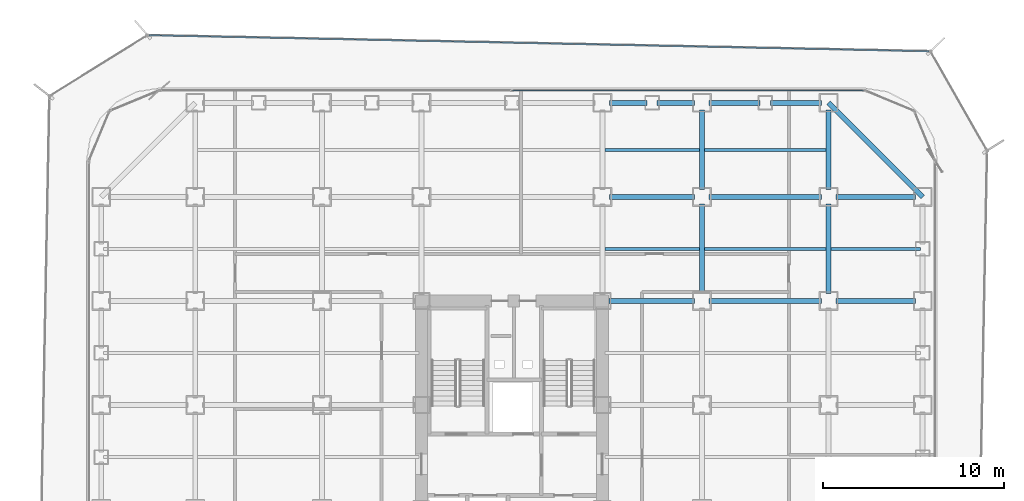
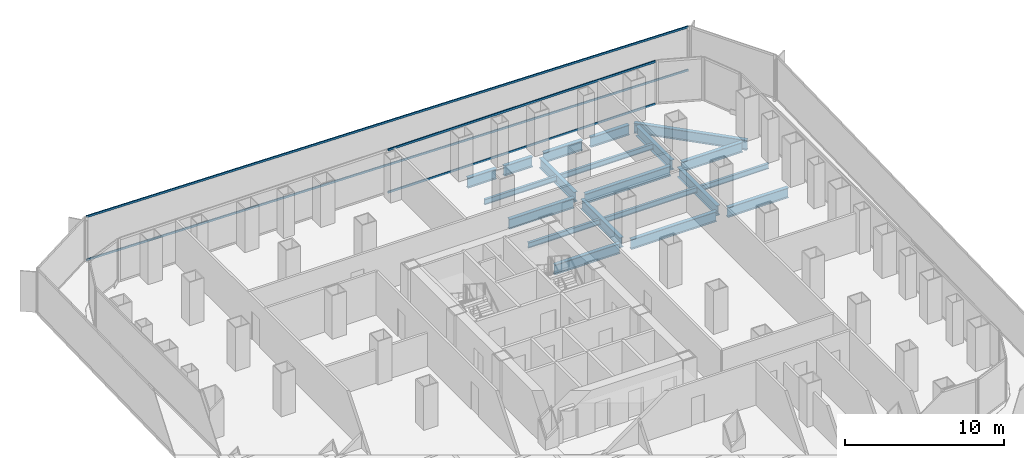
# One storey, part 14 of 21: 20 beams, 4 members, 2 elements without a shape of their own.
"""IFC4 building model written with IfcOpenShell, lengths in metres."""

import ifcopenshell
import ifcopenshell.guid

model = None  # the IFC model being written
_history = None  # IfcOwnerHistory: only IFC2X3 demands one
_inside = {}  # id of a spatial element -> (the spatial element, [elements in it])
_under = {}  # id of a project, library or spatial element -> (it, [spatial elements below it])
_declared = {}  # id of a project -> (the project, [libraries it declares])
_typed = {}  # id of a type object -> (the type object, [elements of that type])
_made_of = {}  # id of a material, layer set ... -> (it, [elements and type objects made of it])


def new_model(schema):
    """Start an empty IFC model of exactly this schema.

    Asked for "IFC4X3", IfcOpenShell would pick the latest addendum, in which some entities
    have other attributes; the version numbers below select the first issue.
    IFC2X3 requires an IfcOwnerHistory on every rooted entity: one is made here for all.
    """
    global model, _history
    if schema == "IFC4X3":
        model = ifcopenshell.file(schema_version=(4, 3, 0, 0))
    else:
        model = ifcopenshell.file(schema=schema)
    _inside.clear()
    _under.clear()
    _declared.clear()
    _typed.clear()
    _made_of.clear()
    _history = None
    if model.schema == "IFC2X3":
        org = make("IfcOrganization", Name="unknown")
        user = make(
            "IfcPersonAndOrganization",
            ThePerson=make("IfcPerson", FamilyName="unknown"),
            TheOrganization=org,
        )
        app = make(
            "IfcApplication",
            ApplicationDeveloper=org,
            Version="unknown",
            ApplicationFullName="unknown",
            ApplicationIdentifier="unknown",
        )
        _history = make(
            "IfcOwnerHistory",
            OwningUser=user,
            OwningApplication=app,
            ChangeAction="ADDED",
            CreationDate=0,
        )
    return model


def make(cls, **values):
    """One entity of the class cls with the attributes given. An attribute that is None is left unset."""
    return model.create_entity(
        cls, **{name: value for name, value in values.items() if value is not None}
    )


def rooted(cls, **values):
    """An entity with a GlobalId (a new one), such as an element, a storey or a relation."""
    return make(cls, GlobalId=ifcopenshell.guid.new(), OwnerHistory=_history, **values)


def si_unit(unit_type, name, prefix=None):
    """IfcSIUnit, for example si_unit("LENGTHUNIT", "METRE", prefix="MILLI")."""
    return make("IfcSIUnit", UnitType=unit_type, Prefix=prefix, Name=name)


def assignment(units):
    """IfcUnitAssignment: the units of a project."""
    return None if units is None else make("IfcUnitAssignment", Units=units)


def point(xyz):
    """IfcCartesianPoint."""
    return None if xyz is None else make("IfcCartesianPoint", Coordinates=xyz)


def direction(xyz):
    """IfcDirection."""
    return None if xyz is None else make("IfcDirection", DirectionRatios=xyz)


def frame(location, z_axis=None, x_axis=None):
    """IfcAxis2Placement3D, a coordinate frame: its origin and axes. An axis left out is left unset."""
    return make(
        "IfcAxis2Placement3D",
        Location=point(location),
        Axis=direction(z_axis),
        RefDirection=direction(x_axis),
    )


def frame_2d(location, x_axis=None):
    """IfcAxis2Placement2D, a coordinate frame in the plane: its origin and x axis."""
    return make(
        "IfcAxis2Placement2D", Location=point(location), RefDirection=direction(x_axis)
    )


def origin():
    """The frame at (0, 0, 0) with its axes left unset."""
    return frame((0.0, 0.0, 0.0))


def origin_2d():
    """The frame at (0, 0) in the plane with its x axis left unset."""
    return frame_2d((0.0, 0.0))


def place(relative_to, where):
    """IfcLocalPlacement: puts the frame where relative to a parent placement (None: the world)."""
    return make(
        "IfcLocalPlacement", PlacementRelTo=relative_to, RelativePlacement=where
    )


def context(
    kind, dimensions, precision=None, world=None, true_north=None, identifier=None
):
    """IfcGeometricRepresentationContext, for example the 3D "Model" context."""
    return make(
        "IfcGeometricRepresentationContext",
        ContextIdentifier=identifier,
        ContextType=kind,
        CoordinateSpaceDimension=dimensions,
        Precision=precision,
        WorldCoordinateSystem=world,
        TrueNorth=true_north,
    )


def subcontext(parent, identifier, kind, view, scale=None):
    """IfcGeometricRepresentationSubContext, for example "Body" below "Model"."""
    return make(
        "IfcGeometricRepresentationSubContext",
        ContextIdentifier=identifier,
        ContextType=kind,
        ParentContext=parent,
        TargetScale=scale,
        TargetView=view,
    )


def project(units=None, contexts=None):
    """IfcProject with its units and contexts."""
    return rooted(
        "IfcProject",
        Name="project",
        RepresentationContexts=contexts,
        UnitsInContext=assignment(units),
    )


def spatial(cls, under=None, at=None, **own):
    """A site, building, storey or space (cls), placed at a placement, below another one or the project."""
    s = rooted(cls, ObjectPlacement=at, **own)
    if under is not None:
        _under.setdefault(under.id(), (under, []))[1].append(s)
    return s


def profile(cls, at=None, kind="AREA", **sizes):
    """A parametric profile (cls). Its sizes go by their IFC names, for example OverallWidth=200.0."""
    return make(cls, ProfileType=kind, Position=at, **sizes)


def hollow_rectangle(**sizes):
    """IfcRectangleHollowProfileDef."""
    return profile("IfcRectangleHollowProfileDef", **sizes)


def i_section(**sizes):
    """IfcIShapeProfileDef."""
    return profile("IfcIShapeProfileDef", **sizes)


def extrude(swept, where, along, depth):
    """IfcExtrudedAreaSolid: the profile swept, set in the frame where, extruded along a direction by depth."""
    return make(
        "IfcExtrudedAreaSolid",
        SweptArea=swept,
        Position=where,
        ExtrudedDirection=direction(along),
        Depth=depth,
    )


def shape(context_of_items, identifier, shape_type, items):
    """IfcShapeRepresentation: the items that make up one representation, for example the "Body"."""
    return make(
        "IfcShapeRepresentation",
        ContextOfItems=context_of_items,
        RepresentationIdentifier=identifier,
        RepresentationType=shape_type,
        Items=items,
    )


def source(mapping_origin, context_of_items, identifier, shape_type, items):
    """IfcRepresentationMap: a shape defined once, which mapped items show again and again."""
    return make(
        "IfcRepresentationMap",
        MappingOrigin=mapping_origin,
        MappedRepresentation=shape(context_of_items, identifier, shape_type, items),
    )


def transform(
    local_origin,
    x_axis=None,
    y_axis=None,
    z_axis=None,
    scale=None,
    scale2=None,
    scale3=None,
    uniform=True,
):
    """IfcCartesianTransformationOperator3D, or its non-uniform kind. x_axis, y_axis, z_axis: its Axis1, 2, 3."""
    if uniform:
        return make(
            "IfcCartesianTransformationOperator3D",
            Axis1=direction(x_axis),
            Axis2=direction(y_axis),
            LocalOrigin=point(local_origin),
            Scale=scale,
            Axis3=direction(z_axis),
        )
    return make(
        "IfcCartesianTransformationOperator3DnonUniform",
        Axis1=direction(x_axis),
        Axis2=direction(y_axis),
        LocalOrigin=point(local_origin),
        Scale=scale,
        Axis3=direction(z_axis),
        Scale2=scale2,
        Scale3=scale3,
    )


def mapped(mapping_source, mapping_target):
    """IfcMappedItem: shows the shape of a source again, moved by a transform."""
    return make(
        "IfcMappedItem", MappingSource=mapping_source, MappingTarget=mapping_target
    )


def material(Name=None, Category=None):
    """IfcMaterial."""
    return make("IfcMaterial", Name=Name, Category=Category)


def layer(
    of_material, thickness, ventilated=None, Name=None, Category=None, Priority=None
):
    """IfcMaterialLayer: one layer of a wall or slab, of a material (None: an air gap)."""
    return make(
        "IfcMaterialLayer",
        Material=of_material,
        LayerThickness=thickness,
        IsVentilated=ventilated,
        Name=Name,
        Category=Category,
        Priority=Priority,
    )


def layer_set(layers, Name=None):
    """IfcMaterialLayerSet."""
    return make("IfcMaterialLayerSet", MaterialLayers=layers, LayerSetName=Name)


def material_profile(
    of_material, cross_section, Name=None, Category=None, Priority=None
):
    """IfcMaterialProfile: a cross section and its material."""
    return make(
        "IfcMaterialProfile",
        Name=Name,
        Material=of_material,
        Profile=cross_section,
        Priority=Priority,
        Category=Category,
    )


def profile_set(profiles, Name=None, composite=None):
    """IfcMaterialProfileSet."""
    return make(
        "IfcMaterialProfileSet",
        Name=Name,
        MaterialProfiles=profiles,
        CompositeProfile=composite,
    )


def made_of(thing, what):
    """Note that an element or type object is made of a material, layer set ...; save() writes the relation."""
    if what is not None:
        _made_of.setdefault(what.id(), (what, []))[1].append(thing)
    return thing


def type_object(cls, material=None, **own):
    """A type object (cls), such as IfcWallType, which elements share."""
    return made_of(rooted(cls, **own), material)


def element(
    cls,
    number,
    at=None,
    inside=None,
    cuts=None,
    type_object=None,
    material=None,
    context=None,
    identifier="Body",
    shape_type=None,
    held_by="IfcProductDefinitionShape",
    body=None,
    shapes=None,
    **own,
):
    """One element of the class cls, such as IfcWall. Its Tag is "e" and its number.

    at: its placement. inside: the storey or other place that contains it. cuts: it is an
    opening in that element (IfcRelVoidsElement). A single representation is given by context,
    identifier, shape_type and body (its items); several are given by shapes. held_by: the class
    of the entity that holds the representations. save() writes the other relations.
    """
    e = rooted(cls, Tag="e%d" % number, ObjectPlacement=at, **own)
    if body is not None:
        shapes = [shape(context, identifier, shape_type, body)]
    if shapes is not None:
        e.Representation = make(held_by, Representations=shapes)
    if inside is not None:
        _inside.setdefault(inside.id(), (inside, []))[1].append(e)
    if cuts is not None:
        rooted(
            "IfcRelVoidsElement", RelatingBuildingElement=cuts, RelatedOpeningElement=e
        )
    if type_object is not None:
        _typed.setdefault(type_object.id(), (type_object, []))[1].append(e)
    return made_of(e, material)


def aggregate(whole, parts):
    """IfcRelAggregates: a whole, such as a stair, and the parts it consists of."""
    return rooted("IfcRelAggregates", RelatingObject=whole, RelatedObjects=parts)


def save(model, path):
    """Write the relations noted so far, then the file.

    IfcRelAggregates (storeys below a building ...), IfcRelContainedInSpatialStructure (elements
    in a storey), IfcRelDefinesByType, IfcRelAssociatesMaterial and IfcRelDeclares: one each for
    every whole, place, type object, material and project.
    """
    for whole, parts in _under.values():
        aggregate(whole, parts)
    for where, things in _inside.values():
        rooted(
            "IfcRelContainedInSpatialStructure",
            RelatedElements=things,
            RelatingStructure=where,
        )
    for kind, things in _typed.values():
        rooted("IfcRelDefinesByType", RelatedObjects=things, RelatingType=kind)
    for what, things in _made_of.values():
        rooted("IfcRelAssociatesMaterial", RelatedObjects=things, RelatingMaterial=what)
    for by, libraries in _declared.values():
        rooted("IfcRelDeclares", RelatingContext=by, RelatedDefinitions=libraries)
    model.write(path)


model = new_model("IFC4")

# Units and contexts
model_context = context("Model", 3, precision=1e-05, world=origin(), true_north=direction((0.0, 1.0)))
body_context = subcontext(model_context, "Body", "Model", "MODEL_VIEW")
ifc_project = project(units=[si_unit("LENGTHUNIT", "METRE"), si_unit("AREAUNIT", "SQUARE_METRE"), si_unit("VOLUMEUNIT", "CUBIC_METRE"), si_unit("PLANEANGLEUNIT", "RADIAN"), si_unit("MASSUNIT", "GRAM", prefix="KILO")], contexts=[model_context])

# Site, building, storey
site_placement = place(None, origin())
site = spatial("IfcSite", under=ifc_project, at=site_placement, CompositionType="ELEMENT")
building_placement = place(site_placement, origin())
building = spatial("IfcBuilding", under=site, at=building_placement, Name="Kolveth Station Tower", CompositionType="ELEMENT")
storey_placement = place(building_placement, frame((0.0, 0.0, 26.10009765625)))
storey = spatial("IfcBuildingStorey", under=building, at=storey_placement, Name="L06", CompositionType="ELEMENT", Elevation=26.10009765625)

# Beams
ifc_material_1 = material(Name="Steel S355", Category="steel")
ifc_material_profile_1 = material_profile(ifc_material_1, i_section(OverallWidth=0.26904296875, OverallDepth=0.77490234375, WebThickness=0.01708984375, FlangeThickness=0.0283203125, at=origin_2d()), Name="W760x220")
ifc_profile_set_1 = profile_set([ifc_material_profile_1], Name="Steel S355")
beam_type_1 = type_object("IfcBeamType", Name="Beam_SP1", PredefinedType="SPANDREL", material=ifc_profile_set_1)
shared_shape_1 = source(origin(), body_context, "Body", "SweptSolid", [
    extrude(i_section(OverallWidth=0.26904296875, OverallDepth=0.77490234375, WebThickness=0.01708984375, FlangeThickness=0.0283203125, at=origin_2d()), origin(), (0.0, 0.0, 1.0), 7.353759765625),
])
beam_1_placement = place(storey_placement, frame((46.199951171875, 34.5, -0.66748046875), z_axis=(-0.707106781187, 0.707106781187, 0.0), x_axis=(-0.707106781187, -0.707106781187, 0.0)))
element("IfcBeam", 1, at=beam_1_placement, inside=storey, type_object=beam_type_1, Name="L06 Corner Edge Girder BM-L06-CNR-NE", PredefinedType="SPANDREL", context=body_context, shape_type="MappedRepresentation", body=[
    mapped(shared_shape_1, transform((0.0, 0.0, 0.0), x_axis=(1.0, 0.0, 0.0), y_axis=(0.0, 1.0, 0.0), z_axis=(0.0, 0.0, 1.0), scale=1.0)),
])
shared_shape_2 = source(origin(), body_context, "Body", "SweptSolid", [
    extrude(i_section(OverallWidth=0.26904296875, OverallDepth=0.77490234375, WebThickness=0.01708984375, FlangeThickness=0.0283203125, at=origin_2d()), origin(), (0.0, 0.0, 1.0), 2.820068359375),
])
for number, where, z_axis, x_axis, name in (
    (2, (34.39990234375, 39.699951171875, -0.66748046875), (1.0, 0.0, 0.0), (0.0, 1.0, 0.0), "L06 Perimeter Spandrel BM-L06-PN-9"),
    (3, (37.780029296875, 39.699951171875, -0.66748046875), (1.0, 0.0, 0.0), (0.0, 1.0, 0.0), "L06 Perimeter Spandrel BM-L06-PN-10"),
):
    element("IfcBeam", number, at=place(storey_placement, frame(where, z_axis=z_axis, x_axis=x_axis)), inside=storey, type_object=beam_type_1, Name=name, PredefinedType="SPANDREL", context=body_context, shape_type="MappedRepresentation", body=[
        mapped(shared_shape_2, transform((0.0, 0.0, 0.0), x_axis=(1.0, 0.0, 0.0), y_axis=(0.0, 1.0, 0.0), z_axis=(0.0, 0.0, 1.0), scale=1.0)),
    ])
shared_shape_3 = source(origin(), body_context, "Body", "SweptSolid", [
    extrude(i_section(OverallWidth=0.26904296875, OverallDepth=0.77490234375, WebThickness=0.01708984375, FlangeThickness=0.0283203125, at=origin_2d()), origin(), (0.0, 0.0, 1.0), 2.070068359375),
])
for number, where, z_axis, x_axis, name in (
    (4, (28.89990234375, 39.699951171875, -0.66748046875), (1.0, 0.0, 0.0), (0.0, 1.0, 0.0), "L06 Perimeter Spandrel BM-L06-PN-7"),
    (5, (31.530029296875, 39.699951171875, -0.66748046875), (1.0, 0.0, 0.0), (0.0, 1.0, 0.0), "L06 Perimeter Spandrel BM-L06-PN-8"),
):
    element("IfcBeam", number, at=place(storey_placement, frame(where, z_axis=z_axis, x_axis=x_axis)), inside=storey, type_object=beam_type_1, Name=name, PredefinedType="SPANDREL", context=body_context, shape_type="MappedRepresentation", body=[
        mapped(shared_shape_3, transform((0.0, 0.0, 0.0), x_axis=(1.0, 0.0, 0.0), y_axis=(0.0, 1.0, 0.0), z_axis=(0.0, 0.0, 1.0), scale=1.0)),
    ])
ifc_material_profile_2 = material_profile(ifc_material_1, i_section(OverallWidth=0.26708984375, OverallDepth=0.76611328125, WebThickness=0.014892578125, FlangeThickness=0.023681640625, at=origin_2d()), Name="W760x185")
ifc_profile_set_2 = profile_set([ifc_material_profile_2], Name="Steel S355")
beam_type_2 = type_object("IfcBeamType", Name="Beam_B3", PredefinedType="BEAM", material=ifc_profile_set_2)
shared_shape_4 = source(origin(), body_context, "Body", "SweptSolid", [
    extrude(i_section(OverallWidth=0.26708984375, OverallDepth=0.76611328125, WebThickness=0.014892578125, FlangeThickness=0.023681640625, at=origin_2d()), origin(), (0.0, 0.0, 1.0), 4.400146484375),
])
for number, where, z_axis, x_axis, name in (
    (6, (41.39990234375, 28.75, -0.6630859375), (1.0, 0.0, 0.0), (0.0, 1.0, 0.0), "L06 Primary Girder BM-L06-GY287-7"),
    (7, (41.39990234375, 34.5, -0.6630859375), (1.0, 0.0, 0.0), (0.0, 1.0, 0.0), "L06 Primary Girder BM-L06-GY345-7"),
    (8, (34.0, 34.89990234375, -0.6630859375), (0.0, 1.0, 0.0), (-1.0, 0.0, 0.0), "L06 Primary Girder BM-L06-GX340-7"),
    (9, (41.0, 34.89990234375, -0.6630859375), (0.0, 1.0, 0.0), (-1.0, 0.0, 0.0), "L06 Primary Girder BM-L06-GX410-7"),
):
    element("IfcBeam", number, at=place(storey_placement, frame(where, z_axis=z_axis, x_axis=x_axis)), inside=storey, type_object=beam_type_2, Name=name, PredefinedType="BEAM", context=body_context, shape_type="MappedRepresentation", body=[
        mapped(shared_shape_4, transform((0.0, 0.0, 0.0), x_axis=(1.0, 0.0, 0.0), y_axis=(0.0, 1.0, 0.0), z_axis=(0.0, 0.0, 1.0), scale=1.0)),
    ])
shared_shape_5 = source(origin(), body_context, "Body", "SweptSolid", [
    extrude(i_section(OverallWidth=0.26708984375, OverallDepth=0.76611328125, WebThickness=0.014892578125, FlangeThickness=0.023681640625, at=origin_2d()), origin(), (0.0, 0.0, 1.0), 6.2001953125),
])
for number, where, z_axis, x_axis, name in (
    (10, (34.39990234375, 28.75, -0.6630859375), (1.0, 0.0, 0.0), (0.0, 1.0, 0.0), "L06 Primary Girder BM-L06-GY287-6"),
    (11, (34.39990234375, 34.5, -0.6630859375), (1.0, 0.0, 0.0), (0.0, 1.0, 0.0), "L06 Primary Girder BM-L06-GY345-6"),
):
    element("IfcBeam", number, at=place(storey_placement, frame(where, z_axis=z_axis, x_axis=x_axis)), inside=storey, type_object=beam_type_2, Name=name, PredefinedType="BEAM", context=body_context, shape_type="MappedRepresentation", body=[
        mapped(shared_shape_5, transform((0.0, 0.0, 0.0), x_axis=(1.0, 0.0, 0.0), y_axis=(0.0, 1.0, 0.0), z_axis=(0.0, 0.0, 1.0), scale=1.0)),
    ])
shared_shape_6 = source(origin(), body_context, "Body", "SweptSolid", [
    extrude(i_section(OverallWidth=0.26708984375, OverallDepth=0.76611328125, WebThickness=0.014892578125, FlangeThickness=0.023681640625, at=origin_2d()), origin(), (0.0, 0.0, 1.0), 4.7001953125),
])
beam_2_placement = place(storey_placement, frame((28.89990234375, 34.5, -0.6630859375), z_axis=(1.0, 0.0, 0.0), x_axis=(0.0, 1.0, 0.0)))
element("IfcBeam", 12, at=beam_2_placement, inside=storey, type_object=beam_type_2, Name="L06 Primary Girder BM-L06-GY345-5", PredefinedType="BEAM", context=body_context, shape_type="MappedRepresentation", body=[
    mapped(shared_shape_6, transform((0.0, 0.0, 0.0), x_axis=(1.0, 0.0, 0.0), y_axis=(0.0, 1.0, 0.0), z_axis=(0.0, 0.0, 1.0), scale=1.0)),
])
shared_shape_7 = source(origin(), body_context, "Body", "SweptSolid", [
    extrude(i_section(OverallWidth=0.26708984375, OverallDepth=0.76611328125, WebThickness=0.014892578125, FlangeThickness=0.023681640625, at=origin_2d()), origin(), (0.0, 0.0, 1.0), 4.739990234375),
])
beam_3_placement = place(storey_placement, frame((28.860107421875, 28.75, -0.6630859375), z_axis=(1.0, 0.0, 0.0), x_axis=(0.0, 1.0, 0.0)))
element("IfcBeam", 13, at=beam_3_placement, inside=storey, type_object=beam_type_2, Name="L06 Primary Girder BM-L06-GY287-5", PredefinedType="BEAM", context=body_context, shape_type="MappedRepresentation", body=[
    mapped(shared_shape_7, transform((0.0, 0.0, 0.0), x_axis=(1.0, 0.0, 0.0), y_axis=(0.0, 1.0, 0.0), z_axis=(0.0, 0.0, 1.0), scale=1.0)),
])
shared_shape_8 = source(origin(), body_context, "Body", "SweptSolid", [
    extrude(i_section(OverallWidth=0.26708984375, OverallDepth=0.76611328125, WebThickness=0.014892578125, FlangeThickness=0.023681640625, at=origin_2d()), origin(), (0.0, 0.0, 1.0), 4.9501953125),
])
for number, where, z_axis, x_axis, name in (
    (14, (34.0, 29.14990234375, -0.6630859375), (0.0, 1.0, 0.0), (-1.0, 0.0, 0.0), "L06 Primary Girder BM-L06-GX340-6"),
    (15, (41.0, 29.14990234375, -0.6630859375), (0.0, 1.0, 0.0), (-1.0, 0.0, 0.0), "L06 Primary Girder BM-L06-GX410-6"),
):
    element("IfcBeam", number, at=place(storey_placement, frame(where, z_axis=z_axis, x_axis=x_axis)), inside=storey, type_object=beam_type_2, Name=name, PredefinedType="BEAM", context=body_context, shape_type="MappedRepresentation", body=[
        mapped(shared_shape_8, transform((0.0, 0.0, 0.0), x_axis=(1.0, 0.0, 0.0), y_axis=(0.0, 1.0, 0.0), z_axis=(0.0, 0.0, 1.0), scale=1.0)),
    ])
ifc_material_profile_3 = material_profile(ifc_material_1, i_section(OverallWidth=0.177978515625, OverallDepth=0.406982421875, WebThickness=0.0078125, FlangeThickness=0.0126953125, at=origin_2d()), Name="W410x60")
ifc_profile_set_3 = profile_set([ifc_material_profile_3], Name="Steel S355")
beam_type_3 = type_object("IfcBeamType", Name="Beam_J1", PredefinedType="JOIST", material=ifc_profile_set_3)
shared_shape_9 = source(origin(), body_context, "Body", "SweptSolid", [
    extrude(i_section(OverallWidth=0.177978515625, OverallDepth=0.406982421875, WebThickness=0.0078125, FlangeThickness=0.0126953125, at=origin_2d()), origin(), (0.0, 0.0, 1.0), 4.935791015625),
])
beam_4_placement = place(storey_placement, frame((41.131591796875, 31.625, -0.483642578125), z_axis=(1.0, 0.0, 0.0), x_axis=(0.0, 1.0, 0.0)))
element("IfcBeam", 16, at=beam_4_placement, inside=storey, type_object=beam_type_3, Name="L06 Secondary Joist JST-L06-7-6", PredefinedType="JOIST", context=body_context, shape_type="MappedRepresentation", body=[
    mapped(shared_shape_9, transform((0.0, 0.0, 0.0), x_axis=(1.0, 0.0, 0.0), y_axis=(0.0, 1.0, 0.0), z_axis=(0.0, 0.0, 1.0), scale=1.0)),
])
shared_shape_10 = source(origin(), body_context, "Body", "SweptSolid", [
    extrude(i_section(OverallWidth=0.177978515625, OverallDepth=0.406982421875, WebThickness=0.0078125, FlangeThickness=0.0126953125, at=origin_2d()), origin(), (0.0, 0.0, 1.0), 6.73681640625),
])
for number, where, z_axis, x_axis, name in (
    (17, (34.131591796875, 31.625, -0.483642578125), (1.0, 0.0, 0.0), (0.0, 1.0, 0.0), "L06 Secondary Joist JST-L06-6-6"),
    (18, (34.131591796875, 37.10009765625, -0.483642578125), (1.0, 0.0, 0.0), (0.0, 1.0, 0.0), "L06 Secondary Joist JST-L06-6-7"),
):
    element("IfcBeam", number, at=place(storey_placement, frame(where, z_axis=z_axis, x_axis=x_axis)), inside=storey, type_object=beam_type_3, Name=name, PredefinedType="JOIST", context=body_context, shape_type="MappedRepresentation", body=[
        mapped(shared_shape_10, transform((0.0, 0.0, 0.0), x_axis=(1.0, 0.0, 0.0), y_axis=(0.0, 1.0, 0.0), z_axis=(0.0, 0.0, 1.0), scale=1.0)),
    ])
shared_shape_11 = source(origin(), body_context, "Body", "SweptSolid", [
    extrude(i_section(OverallWidth=0.177978515625, OverallDepth=0.406982421875, WebThickness=0.0078125, FlangeThickness=0.0126953125, at=origin_2d()), origin(), (0.0, 0.0, 1.0), 5.23681640625),
])
for number, where, z_axis, x_axis, name in (
    (19, (28.631591796875, 31.625, -0.483642578125), (1.0, 0.0, 0.0), (0.0, 1.0, 0.0), "L06 Secondary Joist JST-L06-5-6"),
    (20, (28.631591796875, 37.10009765625, -0.483642578125), (1.0, 0.0, 0.0), (0.0, 1.0, 0.0), "L06 Secondary Joist JST-L06-5-7"),
):
    element("IfcBeam", number, at=place(storey_placement, frame(where, z_axis=z_axis, x_axis=x_axis)), inside=storey, type_object=beam_type_3, Name=name, PredefinedType="JOIST", context=body_context, shape_type="MappedRepresentation", body=[
        mapped(shared_shape_11, transform((0.0, 0.0, 0.0), x_axis=(1.0, 0.0, 0.0), y_axis=(0.0, 1.0, 0.0), z_axis=(0.0, 0.0, 1.0), scale=1.0)),
    ])

# Curtain wall, members
ifc_material_2 = material(Name="Aluminium 6063-T6 and low-E dark glass", Category="aluminium")
ifc_layer_1 = layer(ifc_material_2, 0.179931640625)
ifc_layer_set_1 = layer_set([ifc_layer_1], Name="Aluminium 6063-T6 and low-E dark glass")
curtain_wall_type_1 = type_object("IfcCurtainWallType", Name="CurtainWall_CW-Z1", PredefinedType="NOTDEFINED", material=ifc_layer_set_1)
curtain_wall_1_placement = place(storey_placement, origin())
curtain_wall_1 = element("IfcCurtainWall", 21, at=curtain_wall_1_placement, inside=storey, type_object=curtain_wall_type_1, Name="L06 Inner Thermal Curtain Wall 6", PredefinedType="NOTDEFINED")
ifc_material_3 = material(Name="Black anodized aluminium 6063-T6", Category="aluminium")
ifc_material_profile_4 = material_profile(ifc_material_3, hollow_rectangle(XDim=0.074951171875, YDim=0.159912109375, WallThickness=0.0048828125, at=origin_2d()), Name="ALU-75x160x5")
ifc_profile_set_4 = profile_set([ifc_material_profile_4], Name="Black anodized aluminium 6063-T6")
member_type_1 = type_object("IfcMemberType", Name="Transom_TR1", PredefinedType="USERDEFINED", material=ifc_profile_set_4)
shared_shape_12 = source(origin(), body_context, "Body", "SweptSolid", [
    extrude(hollow_rectangle(XDim=0.074951171875, YDim=0.159912109375, WallThickness=0.0048828125, at=origin_2d()), origin(), (0.0, 0.0, 1.0), 19.387451171875),
])
member_1_placement = place(storey_placement, frame((42.925048828125, 40.3798828125, 0.037353515625), z_axis=(-1.0, 0.0, 0.0), x_axis=(0.0, -1.0, 0.0)))
member_1 = element("IfcMember", 22, at=member_1_placement, type_object=member_type_1, Name="CW-Z1 transom 1.1", ObjectType="TRANSOM", PredefinedType="USERDEFINED", context=body_context, shape_type="MappedRepresentation", body=[
    mapped(shared_shape_12, transform((0.0, 0.0, 0.0), x_axis=(1.0, 0.0, 0.0), y_axis=(0.0, 1.0, 0.0), z_axis=(0.0, 0.0, 1.0), scale=1.0)),
])
member_2_placement = place(storey_placement, frame((42.925048828125, 40.3798828125, 3.282470703125), z_axis=(-1.0, 0.0, 0.0), x_axis=(0.0, -1.0, 0.0)))
member_2 = element("IfcMember", 23, at=member_2_placement, type_object=member_type_1, Name="CW-Z1 transom 1.2", ObjectType="TRANSOM", PredefinedType="USERDEFINED", context=body_context, shape_type="MappedRepresentation", body=[
    mapped(shared_shape_12, transform((0.0, 0.0, 0.0), x_axis=(1.0, 0.0, 0.0), y_axis=(0.0, 1.0, 0.0), z_axis=(0.0, 0.0, 1.0), scale=1.0)),
])
aggregate(curtain_wall_1, [member_1, member_2])

ifc_material_4 = material(Name="Black anodized aluminium 6063-T6 and dark solar glass", Category="aluminium")
ifc_layer_2 = layer(ifc_material_4, 0.159912109375)
ifc_layer_set_2 = layer_set([ifc_layer_2], Name="Black anodized aluminium 6063-T6 and dark solar glass")
curtain_wall_type_2 = type_object("IfcCurtainWallType", Name="OUTER SKIN CW-OS", PredefinedType="NOTDEFINED", material=ifc_layer_set_2)
curtain_wall_2_placement = place(storey_placement, origin())
curtain_wall_2 = element("IfcCurtainWall", 24, at=curtain_wall_2_placement, inside=storey, type_object=curtain_wall_type_2, Name="L06 Outer Ventilated Skin Curtain Wall 4", PredefinedType="NOTDEFINED")
ifc_material_profile_5 = material_profile(ifc_material_3, hollow_rectangle(XDim=0.080078125, YDim=0.14990234375, WallThickness=0.0048828125, at=origin_2d()), Name="ALU-80x150x5")
ifc_profile_set_5 = profile_set([ifc_material_profile_5], Name="Black anodized aluminium 6063-T6")
member_type_2 = type_object("IfcMemberType", Name="Transom_TR-OS", PredefinedType="USERDEFINED", material=ifc_profile_set_5)
shared_shape_13 = source(origin(), body_context, "Body", "SweptSolid", [
    extrude(hollow_rectangle(XDim=0.080078125, YDim=0.14990234375, WallThickness=0.0048828125, at=origin_2d()), origin(), (0.0, 0.0, 1.0), 43.099853515625),
])
member_3_placement = place(storey_placement, frame((46.5439453125, 42.54736328125, 0.039794921875), z_axis=(-0.999788342158, 0.020573548208, 0.0), x_axis=(-0.020573548208, -0.999788342158, 0.0)))
member_3 = element("IfcMember", 25, at=member_3_placement, type_object=member_type_2, Name="CW-OS transom 1.1", ObjectType="TRANSOM", PredefinedType="USERDEFINED", context=body_context, shape_type="MappedRepresentation", body=[
    mapped(shared_shape_13, transform((0.0, 0.0, 0.0), x_axis=(1.0, 0.0, 0.0), y_axis=(0.0, 1.0, 0.0), z_axis=(0.0, 0.0, 1.0), scale=1.0)),
])
member_4_placement = place(storey_placement, frame((46.5439453125, 42.54736328125, 3.349853515625), z_axis=(-0.999788342158, 0.020573548208, 0.0), x_axis=(-0.020573548208, -0.999788342158, 0.0)))
member_4 = element("IfcMember", 26, at=member_4_placement, type_object=member_type_2, Name="CW-OS transom 1.2", ObjectType="TRANSOM", PredefinedType="USERDEFINED", context=body_context, shape_type="MappedRepresentation", body=[
    mapped(shared_shape_13, transform((0.0, 0.0, 0.0), x_axis=(1.0, 0.0, 0.0), y_axis=(0.0, 1.0, 0.0), z_axis=(0.0, 0.0, 1.0), scale=1.0)),
])
aggregate(curtain_wall_2, [member_3, member_4])

save(model, "model.ifc")
